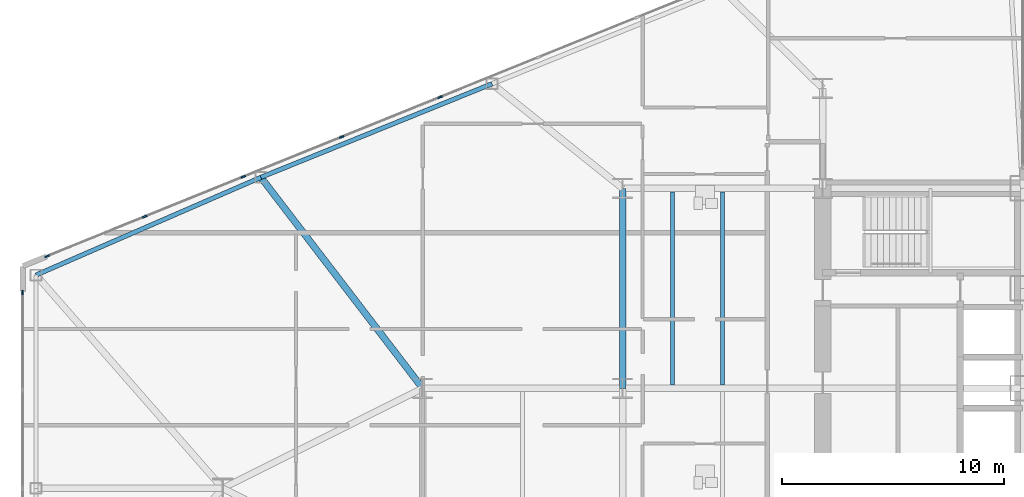
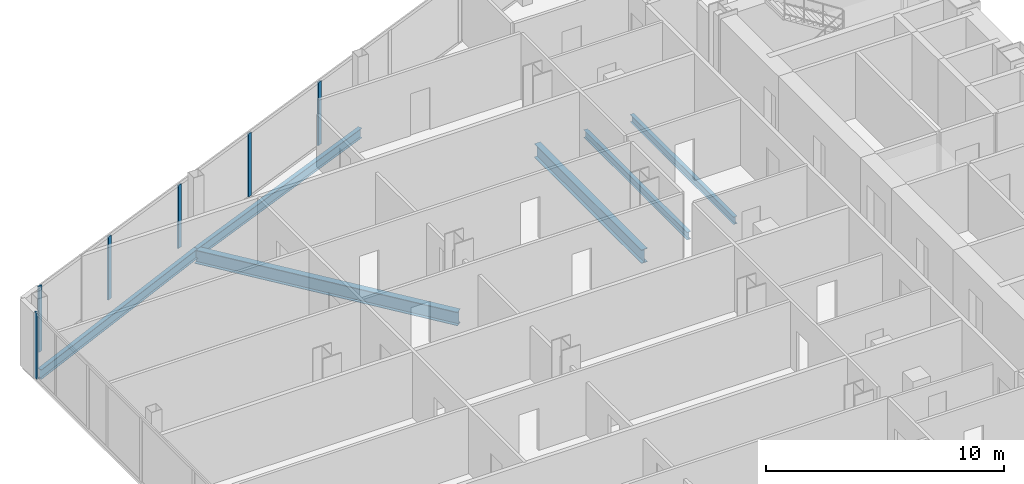
# One storey, part 6 of 25: 6 beams, 6 members, 2 elements without a shape of their own.
"""IFC4 building model written with IfcOpenShell, lengths in metres."""

from ifc_helpers import new_model, si_unit, direction, frame, origin, origin_2d, place, context, subcontext, project, spatial, rectangle, i_section, extrude, source, transform, mapped, material, layer, layer_set, material_profile, profile_set, type_object, type_shapes, element, aggregate, save


model = new_model("IFC4")

# Units and contexts
model_context = context("Model", 3, precision=1e-05, world=origin(), true_north=direction((0.0, 1.0)))
body_context = subcontext(model_context, "Body", "Model", "MODEL_VIEW")
ifc_project = project(units=[si_unit("LENGTHUNIT", "METRE"), si_unit("AREAUNIT", "SQUARE_METRE"), si_unit("VOLUMEUNIT", "CUBIC_METRE"), si_unit("PLANEANGLEUNIT", "RADIAN"), si_unit("MASSUNIT", "GRAM", prefix="KILO")], contexts=[model_context])

# Site, building, storey
site_placement = place(None, origin())
site = spatial("IfcSite", under=ifc_project, at=site_placement, CompositionType="ELEMENT")
building_placement = place(site_placement, origin())
building = spatial("IfcBuilding", under=site, at=building_placement, Name="Seokmaru Belvedere", CompositionType="ELEMENT")
storey_placement = place(building_placement, frame((0.0, 0.0, 40.5)))
storey = spatial("IfcBuildingStorey", under=building, at=storey_placement, Name="L10", CompositionType="ELEMENT", Elevation=40.5)

# Beams
ifc_material_1 = material(Name="Steel SM355 (355 MPa)", Category="steel")
ifc_material_profile_1 = material_profile(ifc_material_1, i_section(OverallWidth=0.300048828125, OverallDepth=0.699951171875, WebThickness=0.012939453125, FlangeThickness=0.02392578125, at=origin_2d()), Name="H-700x300x13x24")
ifc_profile_set_1 = profile_set([ifc_material_profile_1], Name="Steel SM355 (355 MPa)")
beam_type_1 = type_object("IfcBeamType", Name="Primary Floor Girder H-700", PredefinedType="BEAM", material=ifc_profile_set_1)
shared_shape_1 = source(origin(), body_context, "Body", "SweptSolid", [
    extrude(i_section(OverallWidth=0.300048828125, OverallDepth=0.699951171875, WebThickness=0.012939453125, FlangeThickness=0.02392578125, at=origin_2d()), origin(), (0.0, 0.0, 1.0), 9.0),
])
beam_1_placement = place(storey_placement, frame((-45.5, 4.5, -0.570068359375), z_axis=(0.0, 1.0, 0.0), x_axis=(-1.0, 0.0, 0.0)))
element("IfcBeam", 1, at=beam_1_placement, inside=storey, type_object=beam_type_1, Name="L10 W Interior Grid Girder 3", PredefinedType="BEAM", context=body_context, shape_type="MappedRepresentation", body=[
    mapped(shared_shape_1, transform((0.0, 0.0, 0.0), scale=1.0)),
])
ifc_material_profile_2 = material_profile(ifc_material_1, i_section(OverallWidth=0.18505859375, OverallDepth=0.389892578125, WebThickness=0.008056640625, FlangeThickness=0.011962890625, at=origin_2d()), Name="H-390x185x8x12")
ifc_profile_set_2 = profile_set([ifc_material_profile_2], Name="Steel SM355 (355 MPa)")
beam_type_2 = type_object("IfcBeamType", Name="Secondary Floor Joist H-350", PredefinedType="JOIST", material=ifc_profile_set_2)
shared_shape_2 = source(origin(), body_context, "Body", "SweptSolid", [
    extrude(i_section(OverallWidth=0.18505859375, OverallDepth=0.389892578125, WebThickness=0.008056640625, FlangeThickness=0.011962890625, at=origin_2d()), origin(), (0.0, 0.0, 1.0), 8.68994140625),
])
type_shapes(beam_type_2, [shared_shape_2])
for number, where, z_axis, x_axis, name in (
    (2, (-43.25, 4.655029296875, -0.4150390625), (0.0, 1.0, 0.0), (-1.0, 0.0, 0.0), "L10 W Wing Inner Secondary Joist 2"),
    (3, (-41.0, 4.655029296875, -0.4150390625), (0.0, 1.0, 0.0), (-1.0, 0.0, 0.0), "L10 W Secondary Floor Joist 3"),
):
    element("IfcBeam", number, at=place(storey_placement, frame(where, z_axis=z_axis, x_axis=x_axis)), inside=storey, type_object=beam_type_2, Name=name, PredefinedType="JOIST", context=body_context, shape_type="MappedRepresentation", body=[
        mapped(shared_shape_2, transform((0.0, 0.0, 0.0), scale=1.0)),
    ])
ifc_material_profile_3 = material_profile(ifc_material_1, i_section(OverallWidth=0.199951171875, OverallDepth=0.5, WebThickness=0.010009765625, FlangeThickness=0.01611328125, at=origin_2d()), Name="H-500x200x10x16")
ifc_profile_set_3 = profile_set([ifc_material_profile_3], Name="Steel SM355 (355 MPa)")
beam_type_3 = type_object("IfcBeamType", Name="Perimeter Spandrel Beam H-500", PredefinedType="SPANDREL", material=ifc_profile_set_3)
shared_shape_3 = source(origin(), body_context, "Body", "SweptSolid", [
    extrude(i_section(OverallWidth=0.199951171875, OverallDepth=0.5, WebThickness=0.010009765625, FlangeThickness=0.01611328125, at=origin_2d()), origin(), (0.0, 0.0, 1.0), 11.220703125),
])
beam_2_placement = place(storey_placement, frame((-51.378173828125, 18.2041015625, -0.469970703125), z_axis=(-0.926944290816, -0.375198989503, 0.0), x_axis=(0.375198989503, -0.926944290816, 0.0)))
element("IfcBeam", 4, at=beam_2_placement, inside=storey, type_object=beam_type_3, Name="L10 W Faceted Flank Spandrel N-3", PredefinedType="SPANDREL", context=body_context, shape_type="MappedRepresentation", body=[
    mapped(shared_shape_3, transform((0.0, 0.0, 0.0), scale=1.0)),
])
shared_shape_4 = source(origin(), body_context, "Body", "SweptSolid", [
    extrude(i_section(OverallWidth=0.199951171875, OverallDepth=0.5, WebThickness=0.010009765625, FlangeThickness=0.01611328125, at=origin_2d()), origin(), (0.0, 0.0, 1.0), 11.035400390625),
])
type_shapes(beam_type_3, [shared_shape_3, shared_shape_4])
beam_3_placement = place(storey_placement, frame((-61.779052734375, 13.994140625, -0.469970703125), z_axis=(-0.917134058682, -0.398578873507, 0.0), x_axis=(0.398578873507, -0.917134058682, 0.0)))
element("IfcBeam", 5, at=beam_3_placement, inside=storey, type_object=beam_type_3, Name="L10 W Faceted Flank Spandrel N-4", PredefinedType="SPANDREL", context=body_context, shape_type="MappedRepresentation", body=[
    mapped(shared_shape_4, transform((0.0, 0.0, 0.0), scale=1.0)),
])
shared_shape_5 = source(origin(), body_context, "Body", "SweptSolid", [
    extrude(i_section(OverallWidth=0.300048828125, OverallDepth=0.699951171875, WebThickness=0.012939453125, FlangeThickness=0.02392578125, at=origin_2d()), origin(), (0.0, 0.0, 1.0), 11.96337890625),
])
type_shapes(beam_type_1, [shared_shape_1, shared_shape_5])
beam_4_placement = place(storey_placement, frame((-61.779052734375, 13.994140625, -0.570068359375), z_axis=(0.608442682624, -0.793597821294, 0.0), x_axis=(0.793597821294, 0.608442682624, 0.0)))
element("IfcBeam", 6, at=beam_4_placement, inside=storey, type_object=beam_type_1, Name="L10 W Flank Radial Floor Girder N-3", PredefinedType="BEAM", context=body_context, shape_type="MappedRepresentation", body=[
    mapped(shared_shape_5, transform((0.0, 0.0, 0.0), scale=1.0)),
])

# Curtain wall, members
ifc_material_2 = material(Name="Bronze Triple Insulating Glass", Category="glass")
ifc_layer = layer(ifc_material_2, 0.2099609375)
ifc_layer_set = layer_set([ifc_layer], Name="Bronze Triple Insulating Glass")
curtain_wall_type = type_object("IfcCurtainWallType", Name="Low-Rise Faceted Crystal Curtain Wall System CW-2", PredefinedType="NOTDEFINED", material=ifc_layer_set)
curtain_wall_1_placement = place(storey_placement, origin())
curtain_wall_1 = element("IfcCurtainWall", 7, at=curtain_wall_1_placement, inside=storey, type_object=curtain_wall_type, Name="L10 Curtain Wall WF3", PredefinedType="NOTDEFINED")
ifc_material_3 = material(Name="Anodised Bronze Aluminium", Category="aluminium")
ifc_material_profile_4 = material_profile(ifc_material_3, rectangle(XDim=0.074951171875, YDim=0.2099609375, at=origin_2d()), Name="CW-M-75x210")
ifc_profile_set_4 = profile_set([ifc_material_profile_4], Name="Anodised Bronze Aluminium")
member_type = type_object("IfcMemberType", Name="Bronze Unitised Mullion 75x210", PredefinedType="MULLION", material=ifc_profile_set_4)
shared_shape_6 = source(origin(), body_context, "Body", "SweptSolid", [
    extrude(rectangle(XDim=0.074951171875, YDim=0.2099609375, at=origin_2d()), origin(), (0.0, 0.0, 1.0), 3.239990234375),
])
member_1_placement = place(storey_placement, frame((-53.71484375, 17.603515625, 0.070068359375), z_axis=(0.0, 0.0, 1.0), x_axis=(0.375192321888, -0.926946989637, 0.0)))
member_1 = element("IfcMember", 8, at=member_1_placement, type_object=member_type, Name="CW:L10:WF3 Mullion 6", PredefinedType="MULLION", context=body_context, shape_type="MappedRepresentation", body=[
    mapped(shared_shape_6, transform((0.0, 0.0, 0.0), scale=1.0)),
])
member_2_placement = place(storey_placement, frame((-58.144775390625, 15.810546875, 0.070068359375), z_axis=(0.0, 0.0, 1.0), x_axis=(0.375192321888, -0.926946989637, 0.0)))
member_2 = element("IfcMember", 9, at=member_2_placement, type_object=member_type, Name="CW:L10:WF3 Mullion 7", PredefinedType="MULLION", context=body_context, shape_type="MappedRepresentation", body=[
    mapped(shared_shape_6, transform((0.0, 0.0, 0.0), scale=1.0)),
])
member_3_placement = place(storey_placement, frame((-62.574462890625, 14.017578125, 0.070068359375), z_axis=(0.0, 0.0, 1.0), x_axis=(0.375192321888, -0.926946989637, 0.0)))
member_3 = element("IfcMember", 10, at=member_3_placement, type_object=member_type, Name="CW:L10:WF3 Mullion 8", PredefinedType="MULLION", context=body_context, shape_type="MappedRepresentation", body=[
    mapped(shared_shape_6, transform((0.0, 0.0, 0.0), scale=1.0)),
])
member_4_placement = place(storey_placement, frame((-67.004150390625, 12.224609375, 0.070068359375), z_axis=(0.0, 0.0, 1.0), x_axis=(0.375192321888, -0.926946989637, 0.0)))
member_4 = element("IfcMember", 11, at=member_4_placement, type_object=member_type, Name="CW:L10:WF3 Mullion 9", PredefinedType="MULLION", context=body_context, shape_type="MappedRepresentation", body=[
    mapped(shared_shape_6, transform((0.0, 0.0, 0.0), scale=1.0)),
])
shared_shape_7 = source(origin(), body_context, "Body", "SweptSolid", [
    extrude(rectangle(XDim=0.074951171875, YDim=0.2099609375, at=origin_2d()), origin(), (0.0, 0.0, 1.0), 3.3798828125),
])
type_shapes(member_type, [shared_shape_6, shared_shape_7])
member_5_placement = place(storey_placement, frame((-71.399169921875, 10.445556640625, 0.0), z_axis=(0.0, 0.0, 1.0), x_axis=(0.375192321888, -0.926946989637, 0.0)))
member_5 = element("IfcMember", 12, at=member_5_placement, type_object=member_type, Name="CW:L10:WF3 Mullion 10", PredefinedType="MULLION", context=body_context, shape_type="MappedRepresentation", body=[
    mapped(shared_shape_7, transform((0.0, 0.0, 0.0), scale=1.0)),
])
aggregate(curtain_wall_1, [member_1, member_2, member_3, member_4, member_5])

# Curtain wall, member
curtain_wall_2_placement = place(storey_placement, origin())
curtain_wall_2 = element("IfcCurtainWall", 13, at=curtain_wall_2_placement, inside=storey, type_object=curtain_wall_type, Name="L10 Curtain Wall WF4", PredefinedType="NOTDEFINED")
member_6_placement = place(storey_placement, frame((-72.5, 8.8125, 0.0), z_axis=(0.0, 0.0, 1.0), x_axis=(1.0, 0.0, 0.0)))
member_6 = element("IfcMember", 14, at=member_6_placement, type_object=member_type, Name="CW:L10:WF4 Mullion 1", PredefinedType="MULLION", context=body_context, shape_type="MappedRepresentation", body=[
    mapped(shared_shape_7, transform((0.0, 0.0, 0.0), scale=1.0)),
])
aggregate(curtain_wall_2, [member_6])

save(model, "model.ifc")
